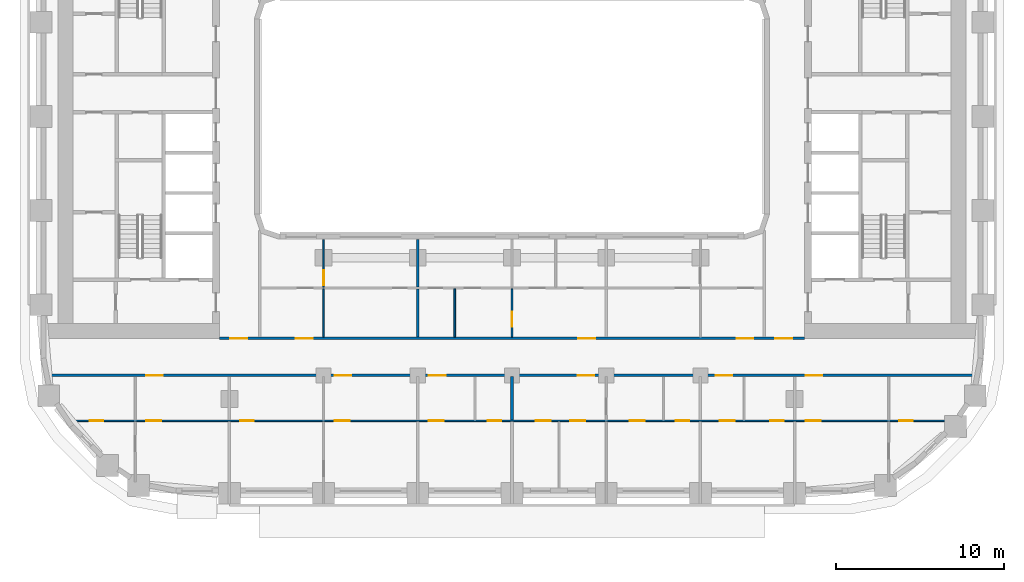
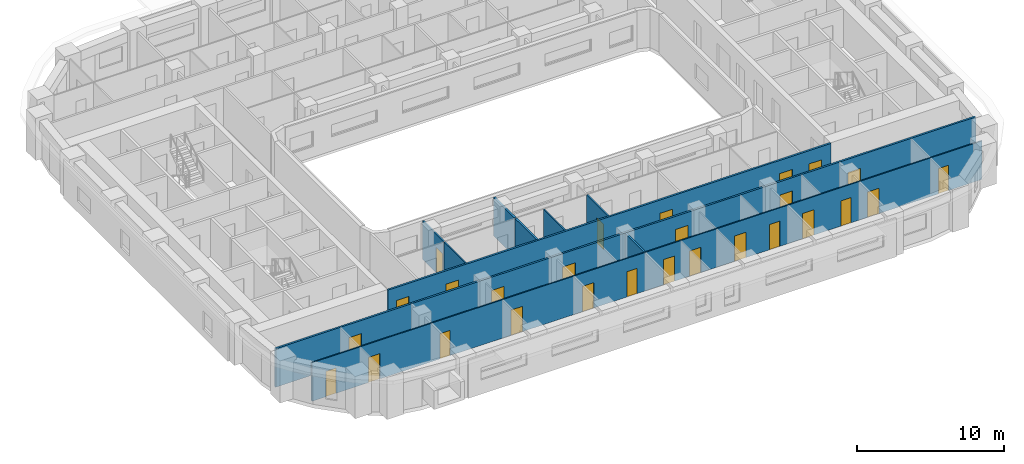
# One storey, part 3 of 21: 27 doors, 10 walls, 27 openings.
"""IFC4 building model written with IfcOpenShell, lengths in metres."""

from ifc_helpers import new_model, si_unit, direction, frame, frame_2d, origin, place, context, subcontext, project, spatial, rectangle, extrude, material, layer, layer_set, type_object, element, fill, save


model = new_model("IFC4")

# Units and contexts
model_context = context("Model", 3, precision=1e-05, world=origin(), true_north=direction((0.0, 1.0)))
body_context = subcontext(model_context, "Body", "Model", "MODEL_VIEW")
ifc_project = project(units=[si_unit("LENGTHUNIT", "METRE"), si_unit("AREAUNIT", "SQUARE_METRE"), si_unit("VOLUMEUNIT", "CUBIC_METRE"), si_unit("PLANEANGLEUNIT", "RADIAN"), si_unit("MASSUNIT", "GRAM", prefix="KILO")], contexts=[model_context])

# Site, building, storey
site_placement = place(None, origin())
site = spatial("IfcSite", under=ifc_project, at=site_placement, CompositionType="ELEMENT")
building_placement = place(site_placement, origin())
building = spatial("IfcBuilding", under=site, at=building_placement, Name="Kiln Ring Residences", CompositionType="ELEMENT")
storey_placement = place(building_placement, frame((0.0, 0.0, 93.800048828125)))
storey = spatial("IfcBuildingStorey", under=building, at=storey_placement, Name="L23", CompositionType="ELEMENT", Elevation=93.800048828125)

# Wall, openings, doors
ifc_material_1 = material(Name="Gypsum board on steel studs", Category="steel")
ifc_layer_1 = layer(ifc_material_1, 0.10009765625)
ifc_layer_set_1 = layer_set([ifc_layer_1], Name="PARTITION-100")
wall_type_1 = type_object("IfcWallType", Name="PARTITION-100", PredefinedType="PARTITIONING", material=ifc_layer_set_1)
wall_1_placement = place(storey_placement, frame((-26.190185546875, -18.10009765625, 0.0), z_axis=(0.0, 0.0, 1.0), x_axis=(1.0, 0.0, 0.0)))
wall_1 = element("IfcWall", 1, at=wall_1_placement, inside=storey, type_object=wall_type_1, Name="Partition 000", PredefinedType="PARTITIONING", context=body_context, shape_type="SweptSolid", body=[
    extrude(rectangle(XDim=52.630126953125, YDim=0.10009765625, at=frame_2d((26.31494140625, 0.0))), origin(), (0.0, 0.0, 1.0), 3.199951171875),
])
opening_1_placement = place(wall_1_placement, frame((1.090087890625, 0.0, 0.0)))
opening_1 = element("IfcOpeningElement", 2, at=opening_1_placement, cuts=wall_1, Name="Opening L23-D058", PredefinedType="OPENING", context=body_context, shape_type="SweptSolid", body=[
    extrude(rectangle(XDim=0.800048828125, YDim=2.10009765625, at=frame_2d((0.39990234375, 1.050048828125))), frame((0.0, 0.06005859375, 0.0), z_axis=(0.0, -1.0, 0.0), x_axis=(1.0, 0.0, 0.0)), (0.0, 0.0, 1.0), 0.1201171875),
])
opening_2_placement = place(wall_1_placement, frame((4.440185546875, 0.0, 0.0)))
opening_2 = element("IfcOpeningElement", 3, at=opening_2_placement, cuts=wall_1, Name="Opening L23-D059", PredefinedType="OPENING", context=body_context, shape_type="SweptSolid", body=[
    extrude(rectangle(XDim=0.89990234375, YDim=2.10009765625, at=frame_2d((0.449951171875, 1.050048828125))), frame((0.0, 0.06005859375, 0.0), z_axis=(0.0, -1.0, 0.0), x_axis=(1.0, 0.0, 0.0)), (0.0, 0.0, 1.0), 0.1201171875),
])
opening_3_placement = place(wall_1_placement, frame((10.0400390625, 0.0, 0.0)))
opening_3 = element("IfcOpeningElement", 4, at=opening_3_placement, cuts=wall_1, Name="Opening L23-D062", PredefinedType="OPENING", context=body_context, shape_type="SweptSolid", body=[
    extrude(rectangle(XDim=0.800048828125, YDim=2.10009765625, at=frame_2d((0.39990234375, 1.050048828125))), frame((0.0, 0.06005859375, 0.0), z_axis=(0.0, -1.0, 0.0), x_axis=(1.0, 0.0, 0.0)), (0.0, 0.0, 1.0), 0.1201171875),
])
opening_4_placement = place(wall_1_placement, frame((15.64013671875, 0.0, 0.0)))
opening_4 = element("IfcOpeningElement", 5, at=opening_4_placement, cuts=wall_1, Name="Opening L23-D063", PredefinedType="OPENING", context=body_context, shape_type="SweptSolid", body=[
    extrude(rectangle(XDim=0.89990234375, YDim=2.10009765625, at=frame_2d((0.449951171875, 1.050048828125))), frame((0.0, 0.06005859375, 0.0), z_axis=(0.0, -1.0, 0.0), x_axis=(1.0, 0.0, 0.0)), (0.0, 0.0, 1.0), 0.1201171875),
])
opening_5_placement = place(wall_1_placement, frame((24.739990234375, 0.0, 0.0)))
opening_5 = element("IfcOpeningElement", 6, at=opening_5_placement, cuts=wall_1, Name="Opening L23-D066", PredefinedType="OPENING", context=body_context, shape_type="SweptSolid", body=[
    extrude(rectangle(XDim=0.800048828125, YDim=2.10009765625, at=frame_2d((0.39990234375, 1.050048828125))), frame((0.0, 0.06005859375, 0.0), z_axis=(0.0, -1.0, 0.0), x_axis=(1.0, 0.0, 0.0)), (0.0, 0.0, 1.0), 0.1201171875),
])
opening_6_placement = place(wall_1_placement, frame((21.239990234375, 0.0, 0.0)))
opening_6 = element("IfcOpeningElement", 7, at=opening_6_placement, cuts=wall_1, Name="Opening L23-D067", PredefinedType="OPENING", context=body_context, shape_type="SweptSolid", body=[
    extrude(rectangle(XDim=0.89990234375, YDim=2.10009765625, at=frame_2d((0.449951171875, 1.050048828125))), frame((0.0, 0.06005859375, 0.0), z_axis=(0.0, -1.0, 0.0), x_axis=(1.0, 0.0, 0.0)), (0.0, 0.0, 1.0), 0.1201171875),
])
opening_7_placement = place(wall_1_placement, frame((35.940185546875, 0.0, 0.0)))
opening_7 = element("IfcOpeningElement", 8, at=opening_7_placement, cuts=wall_1, Name="Opening L23-D070", PredefinedType="OPENING", context=body_context, shape_type="SweptSolid", body=[
    extrude(rectangle(XDim=0.800048828125, YDim=2.10009765625, at=frame_2d((0.39990234375, 1.050048828125))), frame((0.0, 0.06005859375, 0.0), z_axis=(0.0, -1.0, 0.0), x_axis=(1.0, 0.0, 0.0)), (0.0, 0.0, 1.0), 0.1201171875),
])
opening_8_placement = place(wall_1_placement, frame((33.190185546875, 0.0, 0.0)))
opening_8 = element("IfcOpeningElement", 9, at=opening_8_placement, cuts=wall_1, Name="Opening L23-D071", PredefinedType="OPENING", context=body_context, shape_type="SweptSolid", body=[
    extrude(rectangle(XDim=0.89990234375, YDim=2.10009765625, at=frame_2d((0.449951171875, 1.050048828125))), frame((0.0, 0.06005859375, 0.0), z_axis=(0.0, -1.0, 0.0), x_axis=(1.0, 0.0, 0.0)), (0.0, 0.0, 1.0), 0.1201171875),
])
opening_9_placement = place(wall_1_placement, frame((27.590087890625, 0.0, 0.0)))
opening_9 = element("IfcOpeningElement", 10, at=opening_9_placement, cuts=wall_1, Name="Opening L23-D072", PredefinedType="OPENING", context=body_context, shape_type="SweptSolid", body=[
    extrude(rectangle(XDim=0.89990234375, YDim=2.10009765625, at=frame_2d((0.449951171875, 1.050048828125))), frame((0.0, 0.06005859375, 0.0), z_axis=(0.0, -1.0, 0.0), x_axis=(1.0, 0.0, 0.0)), (0.0, 0.0, 1.0), 0.1201171875),
])
opening_10_placement = place(wall_1_placement, frame((29.64013671875, 0.0, 0.0)))
opening_10 = element("IfcOpeningElement", 11, at=opening_10_placement, cuts=wall_1, Name="Opening L23-D073", PredefinedType="OPENING", context=body_context, shape_type="SweptSolid", body=[
    extrude(rectangle(XDim=0.89990234375, YDim=2.10009765625, at=frame_2d((0.449951171875, 1.050048828125))), frame((0.0, 0.06005859375, 0.0), z_axis=(0.0, -1.0, 0.0), x_axis=(1.0, 0.0, 0.0)), (0.0, 0.0, 1.0), 0.1201171875),
])
opening_11_placement = place(wall_1_placement, frame((41.5400390625, 0.0, 0.0)))
opening_11 = element("IfcOpeningElement", 12, at=opening_11_placement, cuts=wall_1, Name="Opening L23-D075", PredefinedType="OPENING", context=body_context, shape_type="SweptSolid", body=[
    extrude(rectangle(XDim=0.800048828125, YDim=2.10009765625, at=frame_2d((0.39990234375, 1.050048828125))), frame((0.0, 0.06005859375, 0.0), z_axis=(0.0, -1.0, 0.0), x_axis=(1.0, 0.0, 0.0)), (0.0, 0.0, 1.0), 0.1201171875),
])
opening_12_placement = place(wall_1_placement, frame((38.5400390625, 0.0, 0.0)))
opening_12 = element("IfcOpeningElement", 13, at=opening_12_placement, cuts=wall_1, Name="Opening L23-D076", PredefinedType="OPENING", context=body_context, shape_type="SweptSolid", body=[
    extrude(rectangle(XDim=0.89990234375, YDim=2.10009765625, at=frame_2d((0.449951171875, 1.050048828125))), frame((0.0, 0.06005859375, 0.0), z_axis=(0.0, -1.0, 0.0), x_axis=(1.0, 0.0, 0.0)), (0.0, 0.0, 1.0), 0.1201171875),
])
opening_13_placement = place(wall_1_placement, frame((49.2041015625, 0.0, 0.0)))
opening_13 = element("IfcOpeningElement", 14, at=opening_13_placement, cuts=wall_1, Name="Opening L23-D078", PredefinedType="OPENING", context=body_context, shape_type="SweptSolid", body=[
    extrude(rectangle(XDim=0.800048828125, YDim=2.10009765625, at=frame_2d((0.39990234375, 1.050048828125))), frame((0.0, 0.06005859375, 0.0), z_axis=(0.0, -1.0, 0.0), x_axis=(1.0, 0.0, 0.0)), (0.0, 0.0, 1.0), 0.1201171875),
])
opening_14_placement = place(wall_1_placement, frame((43.64013671875, 0.0, 0.0)))
opening_14 = element("IfcOpeningElement", 15, at=opening_14_placement, cuts=wall_1, Name="Opening L23-D079", PredefinedType="OPENING", context=body_context, shape_type="SweptSolid", body=[
    extrude(rectangle(XDim=0.89990234375, YDim=2.10009765625, at=frame_2d((0.449951171875, 1.050048828125))), frame((0.0, 0.06005859375, 0.0), z_axis=(0.0, -1.0, 0.0), x_axis=(1.0, 0.0, 0.0)), (0.0, 0.0, 1.0), 0.1201171875),
])
ifc_material_2 = material(Name="Timber door leaf", Category="wood")
door_type_1 = type_object("IfcDoorType", Name="FLAT-DOOR-800-PL", OperationType="SINGLE_SWING_LEFT", PredefinedType="DOOR", material=ifc_material_2)
door_1_placement = place(opening_1_placement, origin())
door_1 = element("IfcDoor", 16, at=door_1_placement, inside=storey, type_object=door_type_1, Name="Door L23-D058", OperationType="SINGLE_SWING_RIGHT", OverallHeight=2.10009765625, OverallWidth=0.800048828125, PredefinedType="DOOR", context=body_context, shape_type="SweptSolid", body=[
    extrude(rectangle(XDim=0.800048828125, YDim=2.10009765625, at=frame_2d((0.39990234375, 1.050048828125))), frame((0.0, 0.02490234375, 0.0), z_axis=(0.0, -1.0, 0.0), x_axis=(1.0, 0.0, 0.0)), (0.0, 0.0, 1.0), 0.050048828125),
])
fill(opening_1, door_1)
door_2_placement = place(opening_3_placement, origin())
door_2 = element("IfcDoor", 17, at=door_2_placement, inside=storey, type_object=door_type_1, Name="Door L23-D062", OperationType="SINGLE_SWING_RIGHT", OverallHeight=2.10009765625, OverallWidth=0.800048828125, PredefinedType="DOOR", context=body_context, shape_type="SweptSolid", body=[
    extrude(rectangle(XDim=0.800048828125, YDim=2.10009765625, at=frame_2d((0.39990234375, 1.050048828125))), frame((0.0, 0.02490234375, 0.0), z_axis=(0.0, -1.0, 0.0), x_axis=(1.0, 0.0, 0.0)), (0.0, 0.0, 1.0), 0.050048828125),
])
fill(opening_3, door_2)
door_3_placement = place(opening_5_placement, origin())
door_3 = element("IfcDoor", 18, at=door_3_placement, inside=storey, type_object=door_type_1, Name="Door L23-D066", OperationType="SINGLE_SWING_RIGHT", OverallHeight=2.10009765625, OverallWidth=0.800048828125, PredefinedType="DOOR", context=body_context, shape_type="SweptSolid", body=[
    extrude(rectangle(XDim=0.800048828125, YDim=2.10009765625, at=frame_2d((0.39990234375, 1.050048828125))), frame((0.0, 0.02490234375, 0.0), z_axis=(0.0, -1.0, 0.0), x_axis=(1.0, 0.0, 0.0)), (0.0, 0.0, 1.0), 0.050048828125),
])
fill(opening_5, door_3)
door_4_placement = place(opening_7_placement, origin())
door_4 = element("IfcDoor", 19, at=door_4_placement, inside=storey, type_object=door_type_1, Name="Door L23-D070", OperationType="SINGLE_SWING_RIGHT", OverallHeight=2.10009765625, OverallWidth=0.800048828125, PredefinedType="DOOR", context=body_context, shape_type="SweptSolid", body=[
    extrude(rectangle(XDim=0.800048828125, YDim=2.10009765625, at=frame_2d((0.39990234375, 1.050048828125))), frame((0.0, 0.02490234375, 0.0), z_axis=(0.0, -1.0, 0.0), x_axis=(1.0, 0.0, 0.0)), (0.0, 0.0, 1.0), 0.050048828125),
])
fill(opening_7, door_4)
door_5_placement = place(opening_11_placement, origin())
door_5 = element("IfcDoor", 20, at=door_5_placement, inside=storey, type_object=door_type_1, Name="Door L23-D075", OperationType="SINGLE_SWING_LEFT", OverallHeight=2.10009765625, OverallWidth=0.800048828125, PredefinedType="DOOR", context=body_context, shape_type="SweptSolid", body=[
    extrude(rectangle(XDim=0.800048828125, YDim=2.10009765625, at=frame_2d((0.39990234375, 1.050048828125))), frame((0.0, 0.02490234375, 0.0), z_axis=(0.0, -1.0, 0.0), x_axis=(1.0, 0.0, 0.0)), (0.0, 0.0, 1.0), 0.050048828125),
])
fill(opening_11, door_5)
door_6_placement = place(opening_13_placement, origin())
door_6 = element("IfcDoor", 21, at=door_6_placement, inside=storey, type_object=door_type_1, Name="Door L23-D078", OperationType="SINGLE_SWING_RIGHT", OverallHeight=2.10009765625, OverallWidth=0.800048828125, PredefinedType="DOOR", context=body_context, shape_type="SweptSolid", body=[
    extrude(rectangle(XDim=0.800048828125, YDim=2.10009765625, at=frame_2d((0.39990234375, 1.050048828125))), frame((0.0, 0.02490234375, 0.0), z_axis=(0.0, -1.0, 0.0), x_axis=(1.0, 0.0, 0.0)), (0.0, 0.0, 1.0), 0.050048828125),
])
fill(opening_13, door_6)
ifc_material_3 = material(Name="Timber door leaf", Category="wood")
door_type_2 = type_object("IfcDoorType", Name="FLAT-DOOR-900-PL", OperationType="SINGLE_SWING_LEFT", PredefinedType="DOOR", material=ifc_material_3)
door_7_placement = place(opening_2_placement, origin())
door_7 = element("IfcDoor", 22, at=door_7_placement, inside=storey, type_object=door_type_2, Name="Door L23-D059", OperationType="SINGLE_SWING_LEFT", OverallHeight=2.10009765625, OverallWidth=0.89990234375, PredefinedType="DOOR", context=body_context, shape_type="SweptSolid", body=[
    extrude(rectangle(XDim=0.89990234375, YDim=2.10009765625, at=frame_2d((0.449951171875, 1.050048828125))), frame((0.0, 0.02490234375, 0.0), z_axis=(0.0, -1.0, 0.0), x_axis=(1.0, 0.0, 0.0)), (0.0, 0.0, 1.0), 0.050048828125),
])
fill(opening_2, door_7)
door_8_placement = place(opening_4_placement, origin())
door_8 = element("IfcDoor", 23, at=door_8_placement, inside=storey, type_object=door_type_2, Name="Door L23-D063", OperationType="SINGLE_SWING_LEFT", OverallHeight=2.10009765625, OverallWidth=0.89990234375, PredefinedType="DOOR", context=body_context, shape_type="SweptSolid", body=[
    extrude(rectangle(XDim=0.89990234375, YDim=2.10009765625, at=frame_2d((0.449951171875, 1.050048828125))), frame((0.0, 0.02490234375, 0.0), z_axis=(0.0, -1.0, 0.0), x_axis=(1.0, 0.0, 0.0)), (0.0, 0.0, 1.0), 0.050048828125),
])
fill(opening_4, door_8)
door_9_placement = place(opening_6_placement, origin())
door_9 = element("IfcDoor", 24, at=door_9_placement, inside=storey, type_object=door_type_2, Name="Door L23-D067", OperationType="SINGLE_SWING_LEFT", OverallHeight=2.10009765625, OverallWidth=0.89990234375, PredefinedType="DOOR", context=body_context, shape_type="SweptSolid", body=[
    extrude(rectangle(XDim=0.89990234375, YDim=2.10009765625, at=frame_2d((0.449951171875, 1.050048828125))), frame((0.0, 0.02490234375, 0.0), z_axis=(0.0, -1.0, 0.0), x_axis=(1.0, 0.0, 0.0)), (0.0, 0.0, 1.0), 0.050048828125),
])
fill(opening_6, door_9)
door_10_placement = place(opening_8_placement, origin())
door_10 = element("IfcDoor", 25, at=door_10_placement, inside=storey, type_object=door_type_2, Name="Door L23-D071", OperationType="SINGLE_SWING_LEFT", OverallHeight=2.10009765625, OverallWidth=0.89990234375, PredefinedType="DOOR", context=body_context, shape_type="SweptSolid", body=[
    extrude(rectangle(XDim=0.89990234375, YDim=2.10009765625, at=frame_2d((0.449951171875, 1.050048828125))), frame((0.0, 0.02490234375, 0.0), z_axis=(0.0, -1.0, 0.0), x_axis=(1.0, 0.0, 0.0)), (0.0, 0.0, 1.0), 0.050048828125),
])
fill(opening_8, door_10)
door_11_placement = place(opening_9_placement, origin())
door_11 = element("IfcDoor", 26, at=door_11_placement, inside=storey, type_object=door_type_2, Name="Door L23-D072", OperationType="SINGLE_SWING_RIGHT", OverallHeight=2.10009765625, OverallWidth=0.89990234375, PredefinedType="DOOR", context=body_context, shape_type="SweptSolid", body=[
    extrude(rectangle(XDim=0.89990234375, YDim=2.10009765625, at=frame_2d((0.449951171875, 1.050048828125))), frame((0.0, 0.02490234375, 0.0), z_axis=(0.0, -1.0, 0.0), x_axis=(1.0, 0.0, 0.0)), (0.0, 0.0, 1.0), 0.050048828125),
])
fill(opening_9, door_11)
door_12_placement = place(opening_10_placement, origin())
door_12 = element("IfcDoor", 27, at=door_12_placement, inside=storey, type_object=door_type_2, Name="Door L23-D073", OperationType="SINGLE_SWING_LEFT", OverallHeight=2.10009765625, OverallWidth=0.89990234375, PredefinedType="DOOR", context=body_context, shape_type="SweptSolid", body=[
    extrude(rectangle(XDim=0.89990234375, YDim=2.10009765625, at=frame_2d((0.449951171875, 1.050048828125))), frame((0.0, 0.02490234375, 0.0), z_axis=(0.0, -1.0, 0.0), x_axis=(1.0, 0.0, 0.0)), (0.0, 0.0, 1.0), 0.050048828125),
])
fill(opening_10, door_12)
door_13_placement = place(opening_12_placement, origin())
door_13 = element("IfcDoor", 28, at=door_13_placement, inside=storey, type_object=door_type_2, Name="Door L23-D076", OperationType="SINGLE_SWING_RIGHT", OverallHeight=2.10009765625, OverallWidth=0.89990234375, PredefinedType="DOOR", context=body_context, shape_type="SweptSolid", body=[
    extrude(rectangle(XDim=0.89990234375, YDim=2.10009765625, at=frame_2d((0.449951171875, 1.050048828125))), frame((0.0, 0.02490234375, 0.0), z_axis=(0.0, -1.0, 0.0), x_axis=(1.0, 0.0, 0.0)), (0.0, 0.0, 1.0), 0.050048828125),
])
fill(opening_12, door_13)
door_14_placement = place(opening_14_placement, origin())
door_14 = element("IfcDoor", 29, at=door_14_placement, inside=storey, type_object=door_type_2, Name="Door L23-D079", OperationType="SINGLE_SWING_LEFT", OverallHeight=2.10009765625, OverallWidth=0.89990234375, PredefinedType="DOOR", context=body_context, shape_type="SweptSolid", body=[
    extrude(rectangle(XDim=0.89990234375, YDim=2.10009765625, at=frame_2d((0.449951171875, 1.050048828125))), frame((0.0, 0.02490234375, 0.0), z_axis=(0.0, -1.0, 0.0), x_axis=(1.0, 0.0, 0.0)), (0.0, 0.0, 1.0), 0.050048828125),
])
fill(opening_14, door_14)

# Wall
wall_2_placement = place(storey_placement, frame((-11.199951171875, -13.125, 0.0), z_axis=(0.0, 0.0, 1.0), x_axis=(0.0, 1.0, 0.0)))
element("IfcWall", 30, at=wall_2_placement, inside=storey, type_object=wall_type_1, Name="Partition 021", PredefinedType="PARTITIONING", context=body_context, shape_type="SweptSolid", body=[
    extrude(rectangle(XDim=2.875, YDim=0.10009765625, at=frame_2d((1.4375, 0.0))), origin(), (0.0, 0.0, 1.0), 3.199951171875),
])

# Wall, opening, door
wall_3_placement = place(storey_placement, frame((-11.199951171875, -10.14990234375, 0.0), z_axis=(0.0, 0.0, 1.0), x_axis=(0.0, 1.0, 0.0)))
wall_3 = element("IfcWall", 31, at=wall_3_placement, inside=storey, type_object=wall_type_1, Name="Partition 022", PredefinedType="PARTITIONING", context=body_context, shape_type="SweptSolid", body=[
    extrude(rectangle(XDim=2.829833984375, YDim=0.10009765625, at=frame_2d((1.4150390625, 0.0))), origin(), (0.0, 0.0, 1.0), 3.199951171875),
])
opening_15_placement = place(wall_3_placement, frame((0.10009765625, 0.0, 0.0)))
opening_15 = element("IfcOpeningElement", 32, at=opening_15_placement, cuts=wall_3, Name="Opening L23-D046", PredefinedType="OPENING", context=body_context, shape_type="SweptSolid", body=[
    extrude(rectangle(XDim=0.89990234375, YDim=2.10009765625, at=frame_2d((0.449951171875, 1.050048828125))), frame((0.0, 0.06005859375, 0.0), z_axis=(0.0, -1.0, 0.0), x_axis=(1.0, 0.0, 0.0)), (0.0, 0.0, 1.0), 0.1201171875),
])
door_15_placement = place(opening_15_placement, origin())
door_15 = element("IfcDoor", 33, at=door_15_placement, inside=storey, type_object=door_type_2, Name="Door L23-D046", OperationType="SINGLE_SWING_LEFT", OverallHeight=2.10009765625, OverallWidth=0.89990234375, PredefinedType="DOOR", context=body_context, shape_type="SweptSolid", body=[
    extrude(rectangle(XDim=0.89990234375, YDim=2.10009765625, at=frame_2d((0.449951171875, 1.050048828125))), frame((0.0, 0.02490234375, 0.0), z_axis=(0.0, -1.0, 0.0), x_axis=(1.0, 0.0, 0.0)), (0.0, 0.0, 1.0), 0.050048828125),
])
fill(opening_15, door_15)

# Wall
wall_4_placement = place(storey_placement, frame((-3.39990234375, -13.125, 0.0), z_axis=(0.0, 0.0, 1.0), x_axis=(0.0, 1.0, 0.0)))
element("IfcWall", 34, at=wall_4_placement, inside=storey, type_object=wall_type_1, Name="Partition 036", PredefinedType="PARTITIONING", context=body_context, shape_type="SweptSolid", body=[
    extrude(rectangle(XDim=2.875, YDim=0.10009765625, at=frame_2d((1.4375, 0.0))), origin(), (0.0, 0.0, 1.0), 3.199951171875),
])

# Wall, opening, door
wall_5_placement = place(storey_placement, frame((0.0, -13.125, 0.0), z_axis=(0.0, 0.0, 1.0), x_axis=(0.0, 1.0, 0.0)))
wall_5 = element("IfcWall", 35, at=wall_5_placement, inside=storey, type_object=wall_type_1, Name="Partition 040", PredefinedType="PARTITIONING", context=body_context, shape_type="SweptSolid", body=[
    extrude(rectangle(XDim=2.875, YDim=0.10009765625, at=frame_2d((1.4375, 0.0))), origin(), (0.0, 0.0, 1.0), 3.199951171875),
])
opening_16_placement = place(wall_5_placement, frame((0.625, 0.0, 0.0)))
opening_16 = element("IfcOpeningElement", 36, at=opening_16_placement, cuts=wall_5, Name="Opening L23-D048", PredefinedType="OPENING", context=body_context, shape_type="SweptSolid", body=[
    extrude(rectangle(XDim=0.89990234375, YDim=2.10009765625, at=frame_2d((0.449951171875, 1.050048828125))), frame((0.0, 0.06005859375, 0.0), z_axis=(0.0, -1.0, 0.0), x_axis=(1.0, 0.0, 0.0)), (0.0, 0.0, 1.0), 0.1201171875),
])
door_16_placement = place(opening_16_placement, origin())
door_16 = element("IfcDoor", 37, at=door_16_placement, inside=storey, type_object=door_type_2, Name="Door L23-D048", OperationType="SINGLE_SWING_RIGHT", OverallHeight=2.10009765625, OverallWidth=0.89990234375, PredefinedType="DOOR", context=body_context, shape_type="SweptSolid", body=[
    extrude(rectangle(XDim=0.89990234375, YDim=2.10009765625, at=frame_2d((0.449951171875, 1.050048828125))), frame((0.0, 0.02490234375, 0.0), z_axis=(0.0, -1.0, 0.0), x_axis=(1.0, 0.0, 0.0)), (0.0, 0.0, 1.0), 0.050048828125),
])
fill(opening_16, door_16)

# Wall, openings, doors
ifc_material_4 = material(Name="Brick masonry partition", Category="masonry")
ifc_layer_2 = layer(ifc_material_4, 0.14990234375)
ifc_layer_set_2 = layer_set([ifc_layer_2], Name="PARTITION-150-ei60")
wall_type_2 = type_object("IfcWallType", Name="PARTITION-150-ei60", PredefinedType="PARTITIONING", material=ifc_layer_set_2)
wall_6_placement = place(storey_placement, frame((-27.48388671875, -15.39990234375, 0.0), z_axis=(0.0, 0.0, 1.0), x_axis=(1.0, 0.0, 0.0)))
wall_6 = element("IfcWall", 38, at=wall_6_placement, inside=storey, type_object=wall_type_2, Name="Partition 001", PredefinedType="PARTITIONING", context=body_context, shape_type="SweptSolid", body=[
    extrude(rectangle(XDim=54.9677734375, YDim=0.14990234375, at=frame_2d((27.48388671875, 0.0))), origin(), (0.0, 0.0, 1.0), 3.199951171875),
])
opening_17_placement = place(wall_6_placement, frame((5.73388671875, 0.0, 0.0)))
opening_17 = element("IfcOpeningElement", 39, at=opening_17_placement, cuts=wall_6, Name="Opening L23-D057", PredefinedType="OPENING", context=body_context, shape_type="SweptSolid", body=[
    extrude(rectangle(XDim=1.0, YDim=2.10009765625, at=frame_2d((0.5, 1.050048828125))), frame((0.0, 0.0849609375, 0.0), z_axis=(0.0, -1.0, 0.0), x_axis=(1.0, 0.0, 0.0)), (0.0, 0.0, 1.0), 0.169921875),
])
opening_18_placement = place(wall_6_placement, frame((16.933837890625, 0.0, 0.0)))
opening_18 = element("IfcOpeningElement", 40, at=opening_18_placement, cuts=wall_6, Name="Opening L23-D061", PredefinedType="OPENING", context=body_context, shape_type="SweptSolid", body=[
    extrude(rectangle(XDim=1.0, YDim=2.10009765625, at=frame_2d((0.5, 1.050048828125))), frame((0.0, 0.0849609375, 0.0), z_axis=(0.0, -1.0, 0.0), x_axis=(1.0, 0.0, 0.0)), (0.0, 0.0, 1.0), 0.169921875),
])
opening_19_placement = place(wall_6_placement, frame((22.53369140625, 0.0, 0.0)))
opening_19 = element("IfcOpeningElement", 41, at=opening_19_placement, cuts=wall_6, Name="Opening L23-D065", PredefinedType="OPENING", context=body_context, shape_type="SweptSolid", body=[
    extrude(rectangle(XDim=1.0, YDim=2.10009765625, at=frame_2d((0.5, 1.050048828125))), frame((0.0, 0.0849609375, 0.0), z_axis=(0.0, -1.0, 0.0), x_axis=(1.0, 0.0, 0.0)), (0.0, 0.0, 1.0), 0.169921875),
])
opening_20_placement = place(wall_6_placement, frame((31.3837890625, 0.0, 0.0)))
opening_20 = element("IfcOpeningElement", 42, at=opening_20_placement, cuts=wall_6, Name="Opening L23-D068", PredefinedType="OPENING", context=body_context, shape_type="SweptSolid", body=[
    extrude(rectangle(XDim=1.0, YDim=2.10009765625, at=frame_2d((0.5, 1.050048828125))), frame((0.0, 0.0849609375, 0.0), z_axis=(0.0, -1.0, 0.0), x_axis=(1.0, 0.0, 0.0)), (0.0, 0.0, 1.0), 0.169921875),
])
opening_21_placement = place(wall_6_placement, frame((39.583740234375, 0.0, 0.0)))
opening_21 = element("IfcOpeningElement", 43, at=opening_21_placement, cuts=wall_6, Name="Opening L23-D074", PredefinedType="OPENING", context=body_context, shape_type="SweptSolid", body=[
    extrude(rectangle(XDim=1.0, YDim=2.10009765625, at=frame_2d((0.5, 1.050048828125))), frame((0.0, 0.0849609375, 0.0), z_axis=(0.0, -1.0, 0.0), x_axis=(1.0, 0.0, 0.0)), (0.0, 0.0, 1.0), 0.169921875),
])
opening_22_placement = place(wall_6_placement, frame((44.933837890625, 0.0, 0.0)))
opening_22 = element("IfcOpeningElement", 44, at=opening_22_placement, cuts=wall_6, Name="Opening L23-D077", PredefinedType="OPENING", context=body_context, shape_type="SweptSolid", body=[
    extrude(rectangle(XDim=1.0, YDim=2.10009765625, at=frame_2d((0.5, 1.050048828125))), frame((0.0, 0.0849609375, 0.0), z_axis=(0.0, -1.0, 0.0), x_axis=(1.0, 0.0, 0.0)), (0.0, 0.0, 1.0), 0.169921875),
])
ifc_material_5 = material(Name="Steel faced fire door leaf", Category="steel")
door_type_3 = type_object("IfcDoorType", Name="FLAT-DOOR-1000-FR", OperationType="SINGLE_SWING_LEFT", PredefinedType="DOOR", material=ifc_material_5)
door_17_placement = place(opening_17_placement, origin())
door_17 = element("IfcDoor", 45, at=door_17_placement, inside=storey, type_object=door_type_3, Name="Door L23-D057", OperationType="SINGLE_SWING_LEFT", OverallHeight=2.10009765625, OverallWidth=1.0, PredefinedType="DOOR", context=body_context, shape_type="SweptSolid", body=[
    extrude(rectangle(XDim=1.0, YDim=2.10009765625, at=frame_2d((0.5, 1.050048828125))), frame((0.0, 0.02490234375, 0.0), z_axis=(0.0, -1.0, 0.0), x_axis=(1.0, 0.0, 0.0)), (0.0, 0.0, 1.0), 0.050048828125),
])
fill(opening_17, door_17)
door_18_placement = place(opening_18_placement, origin())
door_18 = element("IfcDoor", 46, at=door_18_placement, inside=storey, type_object=door_type_3, Name="Door L23-D061", OperationType="SINGLE_SWING_LEFT", OverallHeight=2.10009765625, OverallWidth=1.0, PredefinedType="DOOR", context=body_context, shape_type="SweptSolid", body=[
    extrude(rectangle(XDim=1.0, YDim=2.10009765625, at=frame_2d((0.5, 1.050048828125))), frame((0.0, 0.02490234375, 0.0), z_axis=(0.0, -1.0, 0.0), x_axis=(1.0, 0.0, 0.0)), (0.0, 0.0, 1.0), 0.050048828125),
])
fill(opening_18, door_18)
door_19_placement = place(opening_19_placement, origin())
door_19 = element("IfcDoor", 47, at=door_19_placement, inside=storey, type_object=door_type_3, Name="Door L23-D065", OperationType="SINGLE_SWING_LEFT", OverallHeight=2.10009765625, OverallWidth=1.0, PredefinedType="DOOR", context=body_context, shape_type="SweptSolid", body=[
    extrude(rectangle(XDim=1.0, YDim=2.10009765625, at=frame_2d((0.5, 1.050048828125))), frame((0.0, 0.02490234375, 0.0), z_axis=(0.0, -1.0, 0.0), x_axis=(1.0, 0.0, 0.0)), (0.0, 0.0, 1.0), 0.050048828125),
])
fill(opening_19, door_19)
door_20_placement = place(opening_20_placement, origin())
door_20 = element("IfcDoor", 48, at=door_20_placement, inside=storey, type_object=door_type_3, Name="Door L23-D068", OperationType="SINGLE_SWING_RIGHT", OverallHeight=2.10009765625, OverallWidth=1.0, PredefinedType="DOOR", context=body_context, shape_type="SweptSolid", body=[
    extrude(rectangle(XDim=1.0, YDim=2.10009765625, at=frame_2d((0.5, 1.050048828125))), frame((0.0, 0.02490234375, 0.0), z_axis=(0.0, -1.0, 0.0), x_axis=(1.0, 0.0, 0.0)), (0.0, 0.0, 1.0), 0.050048828125),
])
fill(opening_20, door_20)
door_21_placement = place(opening_21_placement, origin())
door_21 = element("IfcDoor", 49, at=door_21_placement, inside=storey, type_object=door_type_3, Name="Door L23-D074", OperationType="SINGLE_SWING_RIGHT", OverallHeight=2.10009765625, OverallWidth=1.0, PredefinedType="DOOR", context=body_context, shape_type="SweptSolid", body=[
    extrude(rectangle(XDim=1.0, YDim=2.10009765625, at=frame_2d((0.5, 1.050048828125))), frame((0.0, 0.02490234375, 0.0), z_axis=(0.0, -1.0, 0.0), x_axis=(1.0, 0.0, 0.0)), (0.0, 0.0, 1.0), 0.050048828125),
])
fill(opening_21, door_21)
door_22_placement = place(opening_22_placement, origin())
door_22 = element("IfcDoor", 50, at=door_22_placement, inside=storey, type_object=door_type_3, Name="Door L23-D077", OperationType="SINGLE_SWING_LEFT", OverallHeight=2.10009765625, OverallWidth=1.0, PredefinedType="DOOR", context=body_context, shape_type="SweptSolid", body=[
    extrude(rectangle(XDim=1.0, YDim=2.10009765625, at=frame_2d((0.5, 1.050048828125))), frame((0.0, 0.02490234375, 0.0), z_axis=(0.0, -1.0, 0.0), x_axis=(1.0, 0.0, 0.0)), (0.0, 0.0, 1.0), 0.050048828125),
])
fill(opening_22, door_22)

wall_7_placement = place(storey_placement, frame((-17.39990234375, -13.199951171875, 0.0), z_axis=(0.0, 0.0, 1.0), x_axis=(1.0, 0.0, 0.0)))
wall_7 = element("IfcWall", 51, at=wall_7_placement, inside=storey, type_object=wall_type_2, Name="Partition 002", PredefinedType="PARTITIONING", context=body_context, shape_type="SweptSolid", body=[
    extrude(rectangle(XDim=34.7998046875, YDim=0.14990234375, at=frame_2d((17.39990234375, 0.0))), origin(), (0.0, 0.0, 1.0), 3.199951171875),
])
opening_23_placement = place(wall_7_placement, frame((0.64990234375, 0.0, 0.0)))
opening_23 = element("IfcOpeningElement", 52, at=opening_23_placement, cuts=wall_7, Name="Opening L23-D003", PredefinedType="OPENING", context=body_context, shape_type="SweptSolid", body=[
    extrude(rectangle(XDim=1.0, YDim=2.10009765625, at=frame_2d((0.5, 1.050048828125))), frame((0.0, 0.0849609375, 0.0), z_axis=(0.0, -1.0, 0.0), x_axis=(1.0, 0.0, 0.0)), (0.0, 0.0, 1.0), 0.169921875),
])
opening_24_placement = place(wall_7_placement, frame((33.050048828125, 0.0, 0.0)))
opening_24 = element("IfcOpeningElement", 53, at=opening_24_placement, cuts=wall_7, Name="Opening L23-D004", PredefinedType="OPENING", context=body_context, shape_type="SweptSolid", body=[
    extrude(rectangle(XDim=1.0, YDim=2.10009765625, at=frame_2d((0.5, 1.050048828125))), frame((0.0, 0.0849609375, 0.0), z_axis=(0.0, -1.0, 0.0), x_axis=(1.0, 0.0, 0.0)), (0.0, 0.0, 1.0), 0.169921875),
])
opening_25_placement = place(wall_7_placement, frame((4.550048828125, 0.0, 0.0)))
opening_25 = element("IfcOpeningElement", 54, at=opening_25_placement, cuts=wall_7, Name="Opening L23-D043", PredefinedType="OPENING", context=body_context, shape_type="SweptSolid", body=[
    extrude(rectangle(XDim=1.0, YDim=2.10009765625, at=frame_2d((0.5, 1.050048828125))), frame((0.0, 0.0849609375, 0.0), z_axis=(0.0, -1.0, 0.0), x_axis=(1.0, 0.0, 0.0)), (0.0, 0.0, 1.0), 0.169921875),
])
opening_26_placement = place(wall_7_placement, frame((21.35009765625, 0.0, 0.0)))
opening_26 = element("IfcOpeningElement", 55, at=opening_26_placement, cuts=wall_7, Name="Opening L23-D047", PredefinedType="OPENING", context=body_context, shape_type="SweptSolid", body=[
    extrude(rectangle(XDim=1.0, YDim=2.10009765625, at=frame_2d((0.5, 1.050048828125))), frame((0.0, 0.0849609375, 0.0), z_axis=(0.0, -1.0, 0.0), x_axis=(1.0, 0.0, 0.0)), (0.0, 0.0, 1.0), 0.169921875),
])
opening_27_placement = place(wall_7_placement, frame((30.75, 0.0, 0.0)))
opening_27 = element("IfcOpeningElement", 56, at=opening_27_placement, cuts=wall_7, Name="Opening L23-D053", PredefinedType="OPENING", context=body_context, shape_type="SweptSolid", body=[
    extrude(rectangle(XDim=1.0, YDim=2.10009765625, at=frame_2d((0.5, 1.050048828125))), frame((0.0, 0.0849609375, 0.0), z_axis=(0.0, -1.0, 0.0), x_axis=(1.0, 0.0, 0.0)), (0.0, 0.0, 1.0), 0.169921875),
])
door_23_placement = place(opening_23_placement, origin())
door_23 = element("IfcDoor", 57, at=door_23_placement, inside=storey, type_object=door_type_3, Name="Door L23-D003", OperationType="SINGLE_SWING_RIGHT", OverallHeight=2.10009765625, OverallWidth=1.0, PredefinedType="DOOR", context=body_context, shape_type="SweptSolid", body=[
    extrude(rectangle(XDim=1.0, YDim=2.10009765625, at=frame_2d((0.5, 1.050048828125))), frame((0.0, 0.02490234375, 0.0), z_axis=(0.0, -1.0, 0.0), x_axis=(1.0, 0.0, 0.0)), (0.0, 0.0, 1.0), 0.050048828125),
])
fill(opening_23, door_23)
door_24_placement = place(opening_24_placement, origin())
door_24 = element("IfcDoor", 58, at=door_24_placement, inside=storey, type_object=door_type_3, Name="Door L23-D004", OperationType="SINGLE_SWING_LEFT", OverallHeight=2.10009765625, OverallWidth=1.0, PredefinedType="DOOR", context=body_context, shape_type="SweptSolid", body=[
    extrude(rectangle(XDim=1.0, YDim=2.10009765625, at=frame_2d((0.5, 1.050048828125))), frame((0.0, 0.02490234375, 0.0), z_axis=(0.0, -1.0, 0.0), x_axis=(1.0, 0.0, 0.0)), (0.0, 0.0, 1.0), 0.050048828125),
])
fill(opening_24, door_24)
door_25_placement = place(opening_25_placement, origin())
door_25 = element("IfcDoor", 59, at=door_25_placement, inside=storey, type_object=door_type_3, Name="Door L23-D043", OperationType="SINGLE_SWING_LEFT", OverallHeight=2.10009765625, OverallWidth=1.0, PredefinedType="DOOR", context=body_context, shape_type="SweptSolid", body=[
    extrude(rectangle(XDim=1.0, YDim=2.10009765625, at=frame_2d((0.5, 1.050048828125))), frame((0.0, 0.02490234375, 0.0), z_axis=(0.0, -1.0, 0.0), x_axis=(1.0, 0.0, 0.0)), (0.0, 0.0, 1.0), 0.050048828125),
])
fill(opening_25, door_25)
door_26_placement = place(opening_26_placement, origin())
door_26 = element("IfcDoor", 60, at=door_26_placement, inside=storey, type_object=door_type_3, Name="Door L23-D047", OperationType="SINGLE_SWING_LEFT", OverallHeight=2.10009765625, OverallWidth=1.0, PredefinedType="DOOR", context=body_context, shape_type="SweptSolid", body=[
    extrude(rectangle(XDim=1.0, YDim=2.10009765625, at=frame_2d((0.5, 1.050048828125))), frame((0.0, 0.02490234375, 0.0), z_axis=(0.0, -1.0, 0.0), x_axis=(1.0, 0.0, 0.0)), (0.0, 0.0, 1.0), 0.050048828125),
])
fill(opening_26, door_26)
door_27_placement = place(opening_27_placement, origin())
door_27 = element("IfcDoor", 61, at=door_27_placement, inside=storey, type_object=door_type_3, Name="Door L23-D053", OperationType="SINGLE_SWING_LEFT", OverallHeight=2.10009765625, OverallWidth=1.0, PredefinedType="DOOR", context=body_context, shape_type="SweptSolid", body=[
    extrude(rectangle(XDim=1.0, YDim=2.10009765625, at=frame_2d((0.5, 1.050048828125))), frame((0.0, 0.02490234375, 0.0), z_axis=(0.0, -1.0, 0.0), x_axis=(1.0, 0.0, 0.0)), (0.0, 0.0, 1.0), 0.050048828125),
])
fill(opening_27, door_27)

# Walls
wall_8_placement = place(storey_placement, frame((-5.60009765625, -13.125, 0.0), z_axis=(0.0, 0.0, 1.0), x_axis=(0.0, 1.0, 0.0)))
element("IfcWall", 62, at=wall_8_placement, inside=storey, type_object=wall_type_2, Name="Partition 030", PredefinedType="PARTITIONING", context=body_context, shape_type="SweptSolid", body=[
    extrude(rectangle(XDim=2.875, YDim=0.14990234375, at=frame_2d((1.4375, 0.0))), origin(), (0.0, 0.0, 1.0), 3.199951171875),
])
wall_9_placement = place(storey_placement, frame((-5.60009765625, -10.14990234375, 0.0), z_axis=(0.0, 0.0, 1.0), x_axis=(0.0, 1.0, 0.0)))
element("IfcWall", 63, at=wall_9_placement, inside=storey, type_object=wall_type_2, Name="Partition 031", PredefinedType="PARTITIONING", context=body_context, shape_type="SweptSolid", body=[
    extrude(rectangle(XDim=2.829833984375, YDim=0.14990234375, at=frame_2d((1.4150390625, 0.0))), origin(), (0.0, 0.0, 1.0), 3.199951171875),
])
wall_10_placement = place(storey_placement, frame((0.0, -18.050048828125, 0.0), z_axis=(0.0, 0.0, 1.0), x_axis=(0.0, 1.0, 0.0)))
element("IfcWall", 64, at=wall_10_placement, inside=storey, type_object=wall_type_2, Name="Partition 043", PredefinedType="PARTITIONING", context=body_context, shape_type="SweptSolid", body=[
    extrude(rectangle(XDim=2.574951171875, YDim=0.14990234375, at=frame_2d((1.28759765625, 0.0))), origin(), (0.0, 0.0, 1.0), 3.199951171875),
])

save(model, "model.ifc")
